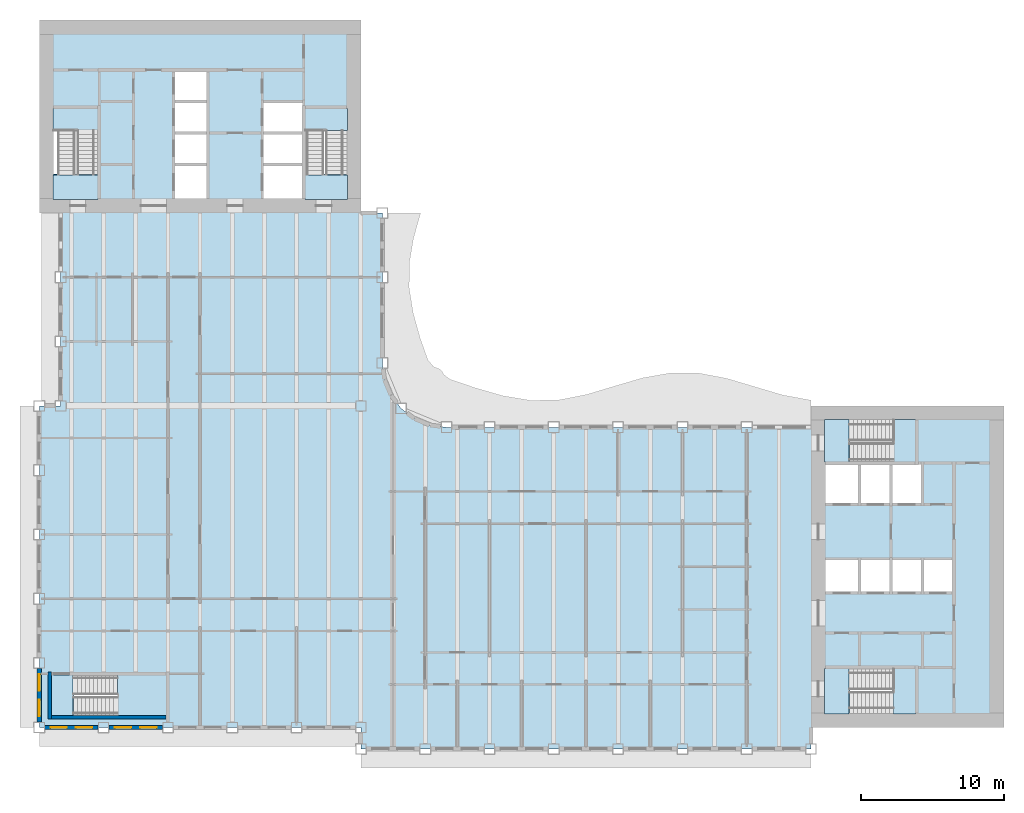
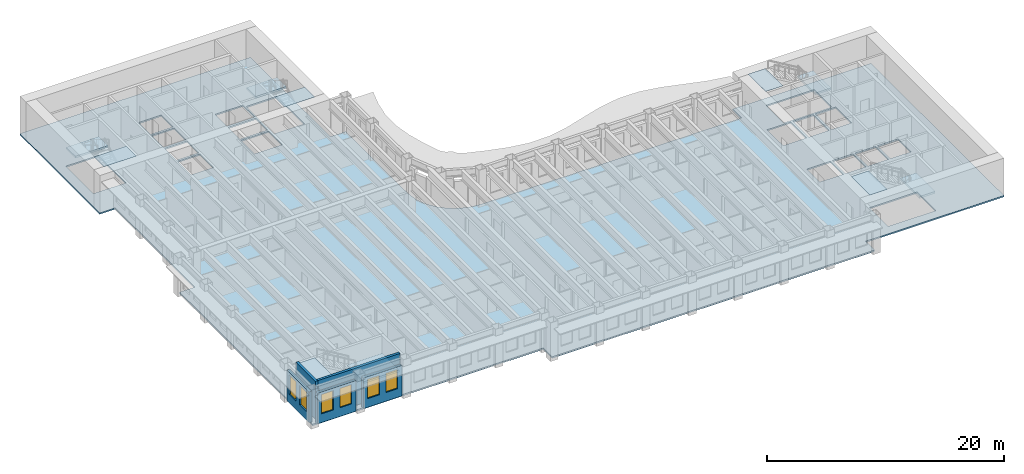
# One storey, part 2 of 17: 11 slabs, 6 windows, 5 walls, 6 openings, 5 elements without a shape of their own.
"""IFC4 building model written with IfcOpenShell, lengths in metres."""

import ifcopenshell
import ifcopenshell.guid

model = None  # the IFC model being written
_history = None  # IfcOwnerHistory: only IFC2X3 demands one
_inside = {}  # id of a spatial element -> (the spatial element, [elements in it])
_under = {}  # id of a project, library or spatial element -> (it, [spatial elements below it])
_declared = {}  # id of a project -> (the project, [libraries it declares])
_typed = {}  # id of a type object -> (the type object, [elements of that type])
_made_of = {}  # id of a material, layer set ... -> (it, [elements and type objects made of it])


def new_model(schema):
    """Start an empty IFC model of exactly this schema.

    Asked for "IFC4X3", IfcOpenShell would pick the latest addendum, in which some entities
    have other attributes; the version numbers below select the first issue.
    IFC2X3 requires an IfcOwnerHistory on every rooted entity: one is made here for all.
    """
    global model, _history
    if schema == "IFC4X3":
        model = ifcopenshell.file(schema_version=(4, 3, 0, 0))
    else:
        model = ifcopenshell.file(schema=schema)
    _inside.clear()
    _under.clear()
    _declared.clear()
    _typed.clear()
    _made_of.clear()
    _history = None
    if model.schema == "IFC2X3":
        org = make("IfcOrganization", Name="unknown")
        user = make(
            "IfcPersonAndOrganization",
            ThePerson=make("IfcPerson", FamilyName="unknown"),
            TheOrganization=org,
        )
        app = make(
            "IfcApplication",
            ApplicationDeveloper=org,
            Version="unknown",
            ApplicationFullName="unknown",
            ApplicationIdentifier="unknown",
        )
        _history = make(
            "IfcOwnerHistory",
            OwningUser=user,
            OwningApplication=app,
            ChangeAction="ADDED",
            CreationDate=0,
        )
    return model


def make(cls, **values):
    """One entity of the class cls with the attributes given. An attribute that is None is left unset."""
    return model.create_entity(
        cls, **{name: value for name, value in values.items() if value is not None}
    )


def rooted(cls, **values):
    """An entity with a GlobalId (a new one), such as an element, a storey or a relation."""
    return make(cls, GlobalId=ifcopenshell.guid.new(), OwnerHistory=_history, **values)


def si_unit(unit_type, name, prefix=None):
    """IfcSIUnit, for example si_unit("LENGTHUNIT", "METRE", prefix="MILLI")."""
    return make("IfcSIUnit", UnitType=unit_type, Prefix=prefix, Name=name)


def assignment(units):
    """IfcUnitAssignment: the units of a project."""
    return None if units is None else make("IfcUnitAssignment", Units=units)


def point(xyz):
    """IfcCartesianPoint."""
    return None if xyz is None else make("IfcCartesianPoint", Coordinates=xyz)


def direction(xyz):
    """IfcDirection."""
    return None if xyz is None else make("IfcDirection", DirectionRatios=xyz)


def frame(location, z_axis=None, x_axis=None):
    """IfcAxis2Placement3D, a coordinate frame: its origin and axes. An axis left out is left unset."""
    return make(
        "IfcAxis2Placement3D",
        Location=point(location),
        Axis=direction(z_axis),
        RefDirection=direction(x_axis),
    )


def frame_2d(location, x_axis=None):
    """IfcAxis2Placement2D, a coordinate frame in the plane: its origin and x axis."""
    return make(
        "IfcAxis2Placement2D", Location=point(location), RefDirection=direction(x_axis)
    )


def origin():
    """The frame at (0, 0, 0) with its axes left unset."""
    return frame((0.0, 0.0, 0.0))


def place(relative_to, where):
    """IfcLocalPlacement: puts the frame where relative to a parent placement (None: the world)."""
    return make(
        "IfcLocalPlacement", PlacementRelTo=relative_to, RelativePlacement=where
    )


def context(
    kind, dimensions, precision=None, world=None, true_north=None, identifier=None
):
    """IfcGeometricRepresentationContext, for example the 3D "Model" context."""
    return make(
        "IfcGeometricRepresentationContext",
        ContextIdentifier=identifier,
        ContextType=kind,
        CoordinateSpaceDimension=dimensions,
        Precision=precision,
        WorldCoordinateSystem=world,
        TrueNorth=true_north,
    )


def subcontext(parent, identifier, kind, view, scale=None):
    """IfcGeometricRepresentationSubContext, for example "Body" below "Model"."""
    return make(
        "IfcGeometricRepresentationSubContext",
        ContextIdentifier=identifier,
        ContextType=kind,
        ParentContext=parent,
        TargetScale=scale,
        TargetView=view,
    )


def project(units=None, contexts=None):
    """IfcProject with its units and contexts."""
    return rooted(
        "IfcProject",
        Name="project",
        RepresentationContexts=contexts,
        UnitsInContext=assignment(units),
    )


def spatial(cls, under=None, at=None, **own):
    """A site, building, storey or space (cls), placed at a placement, below another one or the project."""
    s = rooted(cls, ObjectPlacement=at, **own)
    if under is not None:
        _under.setdefault(under.id(), (under, []))[1].append(s)
    return s


def polyline(points):
    """IfcPolyline through the points."""
    return make("IfcPolyline", Points=[point(p) for p in points])


def profile(cls, at=None, kind="AREA", **sizes):
    """A parametric profile (cls). Its sizes go by their IFC names, for example OverallWidth=200.0."""
    return make(cls, ProfileType=kind, Position=at, **sizes)


def rectangle(**sizes):
    """IfcRectangleProfileDef."""
    return profile("IfcRectangleProfileDef", **sizes)


def outline(outer, holes=None, kind="AREA"):
    """IfcArbitraryClosedProfileDef: a profile drawn as a closed curve; with holes, ...WithVoids."""
    if holes is None:
        return make("IfcArbitraryClosedProfileDef", ProfileType=kind, OuterCurve=outer)
    return make(
        "IfcArbitraryProfileDefWithVoids",
        ProfileType=kind,
        OuterCurve=outer,
        InnerCurves=holes,
    )


def extrude(swept, where, along, depth):
    """IfcExtrudedAreaSolid: the profile swept, set in the frame where, extruded along a direction by depth."""
    return make(
        "IfcExtrudedAreaSolid",
        SweptArea=swept,
        Position=where,
        ExtrudedDirection=direction(along),
        Depth=depth,
    )


def shape(context_of_items, identifier, shape_type, items):
    """IfcShapeRepresentation: the items that make up one representation, for example the "Body"."""
    return make(
        "IfcShapeRepresentation",
        ContextOfItems=context_of_items,
        RepresentationIdentifier=identifier,
        RepresentationType=shape_type,
        Items=items,
    )


def material(Name=None, Category=None):
    """IfcMaterial."""
    return make("IfcMaterial", Name=Name, Category=Category)


def layer(
    of_material, thickness, ventilated=None, Name=None, Category=None, Priority=None
):
    """IfcMaterialLayer: one layer of a wall or slab, of a material (None: an air gap)."""
    return make(
        "IfcMaterialLayer",
        Material=of_material,
        LayerThickness=thickness,
        IsVentilated=ventilated,
        Name=Name,
        Category=Category,
        Priority=Priority,
    )


def layer_set(layers, Name=None):
    """IfcMaterialLayerSet."""
    return make("IfcMaterialLayerSet", MaterialLayers=layers, LayerSetName=Name)


def made_of(thing, what):
    """Note that an element or type object is made of a material, layer set ...; save() writes the relation."""
    if what is not None:
        _made_of.setdefault(what.id(), (what, []))[1].append(thing)
    return thing


def type_object(cls, material=None, **own):
    """A type object (cls), such as IfcWallType, which elements share."""
    return made_of(rooted(cls, **own), material)


def element(
    cls,
    number,
    at=None,
    inside=None,
    cuts=None,
    type_object=None,
    material=None,
    context=None,
    identifier="Body",
    shape_type=None,
    held_by="IfcProductDefinitionShape",
    body=None,
    shapes=None,
    **own,
):
    """One element of the class cls, such as IfcWall. Its Tag is "e" and its number.

    at: its placement. inside: the storey or other place that contains it. cuts: it is an
    opening in that element (IfcRelVoidsElement). A single representation is given by context,
    identifier, shape_type and body (its items); several are given by shapes. held_by: the class
    of the entity that holds the representations. save() writes the other relations.
    """
    e = rooted(cls, Tag="e%d" % number, ObjectPlacement=at, **own)
    if body is not None:
        shapes = [shape(context, identifier, shape_type, body)]
    if shapes is not None:
        e.Representation = make(held_by, Representations=shapes)
    if inside is not None:
        _inside.setdefault(inside.id(), (inside, []))[1].append(e)
    if cuts is not None:
        rooted(
            "IfcRelVoidsElement", RelatingBuildingElement=cuts, RelatedOpeningElement=e
        )
    if type_object is not None:
        _typed.setdefault(type_object.id(), (type_object, []))[1].append(e)
    return made_of(e, material)


def fill(opening, filler):
    """IfcRelFillsElement: the door or window that sits in an opening."""
    return rooted(
        "IfcRelFillsElement",
        RelatingOpeningElement=opening,
        RelatedBuildingElement=filler,
    )


def aggregate(whole, parts):
    """IfcRelAggregates: a whole, such as a stair, and the parts it consists of."""
    return rooted("IfcRelAggregates", RelatingObject=whole, RelatedObjects=parts)


def save(model, path):
    """Write the relations noted so far, then the file.

    IfcRelAggregates (storeys below a building ...), IfcRelContainedInSpatialStructure (elements
    in a storey), IfcRelDefinesByType, IfcRelAssociatesMaterial and IfcRelDeclares: one each for
    every whole, place, type object, material and project.
    """
    for whole, parts in _under.values():
        aggregate(whole, parts)
    for where, things in _inside.values():
        rooted(
            "IfcRelContainedInSpatialStructure",
            RelatedElements=things,
            RelatingStructure=where,
        )
    for kind, things in _typed.values():
        rooted("IfcRelDefinesByType", RelatedObjects=things, RelatingType=kind)
    for what, things in _made_of.values():
        rooted("IfcRelAssociatesMaterial", RelatedObjects=things, RelatingMaterial=what)
    for by, libraries in _declared.values():
        rooted("IfcRelDeclares", RelatingContext=by, RelatedDefinitions=libraries)
    model.write(path)


model = new_model("IFC4")

# Units and contexts
model_context = context("Model", 3, precision=1e-05, world=origin(), true_north=direction((0.0, 1.0)))
body_context = subcontext(model_context, "Body", "Model", "MODEL_VIEW")
ifc_project = project(units=[si_unit("LENGTHUNIT", "METRE"), si_unit("AREAUNIT", "SQUARE_METRE"), si_unit("VOLUMEUNIT", "CUBIC_METRE"), si_unit("PLANEANGLEUNIT", "RADIAN"), si_unit("MASSUNIT", "GRAM", prefix="KILO")], contexts=[model_context])

# Site, building, storey
site_placement = place(None, origin())
site = spatial("IfcSite", under=ifc_project, at=site_placement, CompositionType="ELEMENT")
building_placement = place(site_placement, origin())
building = spatial("IfcBuilding", under=site, at=building_placement, Name="Sennacour Bend Tower", CompositionType="ELEMENT")
storey_placement = place(building_placement, frame((0.0, 0.0, 215.0)))
storey = spatial("IfcBuildingStorey", under=building, at=storey_placement, Name="L49", CompositionType="ELEMENT", Elevation=215.0)

# Slabs
ifc_material_1 = material(Name="Concrete C30/37", Category="concrete")
ifc_layer_1 = layer(ifc_material_1, 0.14990234375, Name="Concrete C30/37", Category="concrete")
ifc_layer_set_1 = layer_set([ifc_layer_1], Name="Concrete C30/37")
slab_type_1 = type_object("IfcSlabType", Name="Floor slab 150", PredefinedType="FLOOR", material=ifc_layer_set_1)
slab_1_placement = place(storey_placement, frame((0.0, 0.0, -0.14990234375)))
element("IfcSlab", 1, at=slab_1_placement, inside=storey, type_object=slab_type_1, Name="Floor slab L49-01", PredefinedType="FLOOR", context=body_context, shape_type="SweptSolid", body=[
    extrude(outline(polyline([(22.5, 0.0), (0.0, 0.0), (0.0, 22.5), (1.5, 22.5), (1.5, 36.0), (0.0, 36.0), (0.0, 49.5), (22.5, 49.5), (22.5, 36.0), (24.0, 36.0), (24.0, 25.5), (24.1533203125, 24.335205078125), (24.602783203125, 23.25), (25.318115234375, 22.318115234375), (26.25, 21.602783203125), (27.335205078125, 21.1533203125), (28.5, 21.0), (54.0, 21.0), (54.0, 22.5), (67.5, 22.5), (67.5, 0.0), (54.0, 0.0), (54.0, -1.5), (22.5, -1.5), (22.5, 0.0)]), holes=[polyline([(8.800048828125, 0.949951171875), (8.800048828125, 3.5), (2.429931640625, 3.5), (2.429931640625, 0.949951171875), (8.800048828125, 0.949951171875)]), polyline([(11.699951171875, 37.0), (11.699951171875, 39.300048828125), (9.5, 39.300048828125), (9.5, 37.0), (11.699951171875, 37.0)]), polyline([(18.39990234375, 37.0), (18.39990234375, 39.300048828125), (15.699951171875, 39.300048828125), (15.699951171875, 37.0), (18.39990234375, 37.0)]), polyline([(11.699951171875, 39.5), (11.699951171875, 41.5), (9.5, 41.5), (9.5, 39.5), (11.699951171875, 39.5)]), polyline([(18.39990234375, 39.5), (18.39990234375, 41.5), (15.699951171875, 41.5), (15.699951171875, 39.5), (18.39990234375, 39.5)]), polyline([(4.125, 38.72998046875), (4.125, 43.39990234375), (0.949951171875, 43.39990234375), (0.949951171875, 38.72998046875), (4.125, 38.72998046875)]), polyline([(21.550048828125, 38.72998046875), (21.550048828125, 43.39990234375), (18.574951171875, 43.39990234375), (18.574951171875, 38.72998046875), (21.550048828125, 38.72998046875)]), polyline([(9.5, 41.699951171875), (11.699951171875, 41.699951171875), (11.699951171875, 43.699951171875), (9.5, 43.699951171875), (9.5, 41.699951171875)]), polyline([(15.699951171875, 41.699951171875), (18.39990234375, 41.699951171875), (18.39990234375, 43.699951171875), (15.699951171875, 43.699951171875), (15.699951171875, 41.699951171875)]), polyline([(11.699951171875, 43.89990234375), (11.699951171875, 45.89990234375), (9.5, 45.89990234375), (9.5, 43.89990234375), (11.699951171875, 43.89990234375)]), polyline([(61.39990234375, 0.949951171875), (61.39990234375, 4.125), (56.72998046875, 4.125), (56.72998046875, 0.949951171875), (61.39990234375, 0.949951171875)]), polyline([(57.300048828125, 9.5), (57.300048828125, 11.699951171875), (55.0, 11.699951171875), (55.0, 9.5), (57.300048828125, 9.5)]), polyline([(57.5, 9.5), (59.5, 9.5), (59.5, 11.699951171875), (57.5, 11.699951171875), (57.5, 9.5)]), polyline([(59.699951171875, 9.5), (61.699951171875, 9.5), (61.699951171875, 11.699951171875), (59.699951171875, 11.699951171875), (59.699951171875, 9.5)]), polyline([(63.89990234375, 9.5), (63.89990234375, 11.699951171875), (61.89990234375, 11.699951171875), (61.89990234375, 9.5), (63.89990234375, 9.5)]), polyline([(57.300048828125, 15.699951171875), (57.300048828125, 18.39990234375), (55.0, 18.39990234375), (55.0, 15.699951171875), (57.300048828125, 15.699951171875)]), polyline([(59.5, 15.699951171875), (59.5, 18.39990234375), (57.5, 18.39990234375), (57.5, 15.699951171875), (59.5, 15.699951171875)]), polyline([(59.699951171875, 15.699951171875), (61.699951171875, 15.699951171875), (61.699951171875, 18.39990234375), (59.699951171875, 18.39990234375), (59.699951171875, 15.699951171875)]), polyline([(56.72998046875, 18.574951171875), (61.39990234375, 18.574951171875), (61.39990234375, 21.550048828125), (56.72998046875, 21.550048828125), (56.72998046875, 18.574951171875)])]), origin(), (0.0, 0.0, 1.0), 0.14990234375),
])
ifc_material_2 = material(Name="Concrete C40/50", Category="concrete")
ifc_layer_2 = layer(ifc_material_2, 0.034912109375, Name="Concrete C40/50", Category="concrete")
ifc_layer_set_2 = layer_set([ifc_layer_2], Name="Concrete C40/50")
slab_type_2 = type_object("IfcSlabType", Name="Stair arrival nib 35", PredefinedType="FLOOR", material=ifc_layer_set_2)
slab_2_placement = place(storey_placement, frame((0.0, 0.0, 3.815185546875)))
element("IfcSlab", 2, at=slab_2_placement, inside=storey, type_object=slab_type_2, Name="L49 SA1 stair arrival nib", PredefinedType="FLOOR", context=body_context, shape_type="SweptSolid", body=[
    extrude(outline(polyline([(56.64208984375, 4.125), (54.949951171875, 4.125), (54.949951171875, 0.949951171875), (56.64208984375, 0.949951171875), (56.64208984375, 4.125)])), origin(), (0.0, 0.0, 1.0), 0.034912109375),
])
slab_3_placement = place(storey_placement, frame((0.0, 0.0, 3.815185546875)))
element("IfcSlab", 3, at=slab_3_placement, inside=storey, type_object=slab_type_2, Name="L49 SA2 stair arrival nib", PredefinedType="FLOOR", context=body_context, shape_type="SweptSolid", body=[
    extrude(outline(polyline([(56.64208984375, 21.550048828125), (54.949951171875, 21.550048828125), (54.949951171875, 18.574951171875), (56.64208984375, 18.574951171875), (56.64208984375, 21.550048828125)])), origin(), (0.0, 0.0, 1.0), 0.034912109375),
])
slab_4_placement = place(storey_placement, frame((0.0, 0.0, 3.815185546875)))
element("IfcSlab", 4, at=slab_4_placement, inside=storey, type_object=slab_type_2, Name="L49 SB1 stair arrival nib", PredefinedType="FLOOR", context=body_context, shape_type="SweptSolid", body=[
    extrude(outline(polyline([(0.949951171875, 38.64208984375), (0.949951171875, 36.949951171875), (4.125, 36.949951171875), (4.125, 38.64208984375), (0.949951171875, 38.64208984375)])), origin(), (0.0, 0.0, 1.0), 0.034912109375),
])
slab_5_placement = place(storey_placement, frame((0.0, 0.0, 3.815185546875)))
element("IfcSlab", 5, at=slab_5_placement, inside=storey, type_object=slab_type_2, Name="L49 SB2 stair arrival nib", PredefinedType="FLOOR", context=body_context, shape_type="SweptSolid", body=[
    extrude(outline(polyline([(18.574951171875, 38.64208984375), (18.574951171875, 36.949951171875), (21.550048828125, 36.949951171875), (21.550048828125, 38.64208984375), (18.574951171875, 38.64208984375)])), origin(), (0.0, 0.0, 1.0), 0.034912109375),
])
slab_6_placement = place(storey_placement, frame((0.0, 0.0, 3.815185546875)))
element("IfcSlab", 6, at=slab_6_placement, inside=storey, type_object=slab_type_2, Name="L49 SK1 stair arrival nib", PredefinedType="FLOOR", context=body_context, shape_type="SweptSolid", body=[
    extrude(outline(polyline([(2.342041015625, 3.675048828125), (0.800048828125, 3.675048828125), (0.800048828125, 0.800048828125), (2.342041015625, 0.800048828125), (2.342041015625, 3.675048828125)])), origin(), (0.0, 0.0, 1.0), 0.034912109375),
])

# Stair, slab
stair_type = type_object("IfcStairType", Name="ST-DOGLEG", PredefinedType="HALF_TURN_STAIR", material=ifc_material_2)
stair_1_placement = place(storey_placement, origin())
stair_1 = element("IfcStair", 7, at=stair_1_placement, inside=storey, type_object=stair_type, Name="L49 Exit stair A1", PredefinedType="HALF_TURN_STAIR")
ifc_layer_3 = layer(ifc_material_2, 0.199951171875, Name="Concrete C40/50", Category="concrete")
ifc_layer_set_3 = layer_set([ifc_layer_3], Name="Concrete C40/50")
slab_type_3 = type_object("IfcSlabType", Name="Stair landing 200", PredefinedType="LANDING", material=ifc_layer_set_3)
slab_7_placement = place(storey_placement, frame((0.0, 0.0, 1.800048828125)))
slab_7 = element("IfcSlab", 8, at=slab_7_placement, type_object=slab_type_3, Name="SA1 landing 1", PredefinedType="LANDING", context=body_context, shape_type="SweptSolid", body=[
    extrude(outline(polyline([(59.780029296875, 0.949951171875), (61.324951171875, 0.949951171875), (61.324951171875, 4.125), (59.780029296875, 4.125), (59.780029296875, 0.949951171875)])), origin(), (0.0, 0.0, 1.0), 0.199951171875),
])
aggregate(stair_1, [slab_7])

stair_2_placement = place(storey_placement, origin())
stair_2 = element("IfcStair", 9, at=stair_2_placement, inside=storey, type_object=stair_type, Name="L49 Exit stair A2", PredefinedType="HALF_TURN_STAIR")
slab_8_placement = place(storey_placement, frame((0.0, 0.0, 1.800048828125)))
slab_8 = element("IfcSlab", 10, at=slab_8_placement, type_object=slab_type_3, Name="SA2 landing 1", PredefinedType="LANDING", context=body_context, shape_type="SweptSolid", body=[
    extrude(outline(polyline([(59.780029296875, 18.574951171875), (61.324951171875, 18.574951171875), (61.324951171875, 21.550048828125), (59.780029296875, 21.550048828125), (59.780029296875, 18.574951171875)])), origin(), (0.0, 0.0, 1.0), 0.199951171875),
])
aggregate(stair_2, [slab_8])

stair_3_placement = place(storey_placement, origin())
stair_3 = element("IfcStair", 11, at=stair_3_placement, inside=storey, type_object=stair_type, Name="L49 Exit stair B1", PredefinedType="HALF_TURN_STAIR")
slab_9_placement = place(storey_placement, frame((0.0, 0.0, 1.800048828125)))
slab_9 = element("IfcSlab", 12, at=slab_9_placement, type_object=slab_type_3, Name="SB1 landing 1", PredefinedType="LANDING", context=body_context, shape_type="SweptSolid", body=[
    extrude(outline(polyline([(0.949951171875, 41.780029296875), (4.125, 41.780029296875), (4.125, 43.324951171875), (0.949951171875, 43.324951171875), (0.949951171875, 41.780029296875)])), origin(), (0.0, 0.0, 1.0), 0.199951171875),
])
aggregate(stair_3, [slab_9])

stair_4_placement = place(storey_placement, origin())
stair_4 = element("IfcStair", 13, at=stair_4_placement, inside=storey, type_object=stair_type, Name="L49 Exit stair B2", PredefinedType="HALF_TURN_STAIR")
slab_10_placement = place(storey_placement, frame((0.0, 0.0, 1.800048828125)))
slab_10 = element("IfcSlab", 14, at=slab_10_placement, type_object=slab_type_3, Name="SB2 landing 1", PredefinedType="LANDING", context=body_context, shape_type="SweptSolid", body=[
    extrude(outline(polyline([(18.574951171875, 41.780029296875), (21.550048828125, 41.780029296875), (21.550048828125, 43.324951171875), (18.574951171875, 43.324951171875), (18.574951171875, 41.780029296875)])), origin(), (0.0, 0.0, 1.0), 0.199951171875),
])
aggregate(stair_4, [slab_10])

stair_5_placement = place(storey_placement, origin())
stair_5 = element("IfcStair", 15, at=stair_5_placement, inside=storey, type_object=stair_type, Name="L49 Exit stair K1", PredefinedType="HALF_TURN_STAIR")
slab_11_placement = place(storey_placement, frame((0.0, 0.0, 1.800048828125)))
slab_11 = element("IfcSlab", 16, at=slab_11_placement, type_object=slab_type_3, Name="SK1 landing 1", PredefinedType="LANDING", context=body_context, shape_type="SweptSolid", body=[
    extrude(outline(polyline([(5.47998046875, 0.800048828125), (8.925048828125, 0.800048828125), (8.925048828125, 3.675048828125), (5.47998046875, 3.675048828125), (5.47998046875, 0.800048828125)])), origin(), (0.0, 0.0, 1.0), 0.199951171875),
])
aggregate(stair_5, [slab_11])

# Wall, openings, windows
ifc_material_3 = material(Name="Warm limestone cladding", Category="masonry")
ifc_layer_4 = layer(ifc_material_3, 0.050048828125, Name="Warm limestone cladding", Category="masonry")
ifc_material_4 = material(Name="Precast concrete C40/50", Category="concrete")
ifc_layer_5 = layer(ifc_material_4, 0.25, Name="Precast concrete C40/50", Category="concrete")
ifc_layer_set_4 = layer_set([ifc_layer_4, ifc_layer_5], Name="Precast concrete C40/50 with limestone cladding")
wall_type_1 = type_object("IfcWallType", Name="STONE-CLAD PRECAST SPANDREL 300", PredefinedType="STANDARD", material=ifc_layer_set_4)
wall_1_placement = place(storey_placement, frame((0.0, 4.125, 0.0), z_axis=(0.0, 0.0, 1.0), x_axis=(0.0, -1.0, 0.0)))
wall_1 = element("IfcWall", 17, at=wall_1_placement, inside=storey, type_object=wall_type_1, Name="Stone spandrel and pier wall L49 21.04", PredefinedType="STANDARD", context=body_context, shape_type="SweptSolid", body=[
    extrude(rectangle(XDim=3.75, YDim=0.300048828125, at=frame_2d((1.875, 0.0))), origin(), (0.0, 0.0, 1.0), 3.156982421875),
])
opening_1_placement = place(wall_1_placement, frame((0.41259765625, 0.0, 0.89990234375)))
opening_1 = element("IfcOpeningElement", 18, at=opening_1_placement, cuts=wall_1, Name="Opening W24", PredefinedType="OPENING", context=body_context, shape_type="SweptSolid", body=[
    extrude(rectangle(XDim=1.14990234375, YDim=2.0, at=frame_2d((0.574951171875, 1.0))), frame((0.0, 0.16015625, 0.0), z_axis=(0.0, -1.0, 0.0), x_axis=(1.0, 0.0, 0.0)), (0.0, 0.0, 1.0), 0.320068359375),
])
opening_2_placement = place(wall_1_placement, frame((2.1875, 0.0, 0.89990234375)))
opening_2 = element("IfcOpeningElement", 19, at=opening_2_placement, cuts=wall_1, Name="Opening W24", PredefinedType="OPENING", context=body_context, shape_type="SweptSolid", body=[
    extrude(rectangle(XDim=1.14990234375, YDim=2.0, at=frame_2d((0.574951171875, 1.0))), frame((0.0, 0.16015625, 0.0), z_axis=(0.0, -1.0, 0.0), x_axis=(1.0, 0.0, 0.0)), (0.0, 0.0, 1.0), 0.320068359375),
])
ifc_material_5 = material(Name="Clear low-emissivity glass", Category="glass")
window_type = type_object("IfcWindowType", Name="WIN-RIBBON-1150x2000", PartitioningType="SINGLE_PANEL", PredefinedType="WINDOW", material=ifc_material_5)
window_1_placement = place(opening_1_placement, origin())
window_1 = element("IfcWindow", 20, at=window_1_placement, inside=storey, type_object=window_type, Name="Ribbon window L49 21.04.0", OverallHeight=2.0, OverallWidth=1.14990234375, PartitioningType="SINGLE_PANEL", PredefinedType="WINDOW", context=body_context, shape_type="SweptSolid", body=[
    extrude(rectangle(XDim=1.14990234375, YDim=2.0, at=frame_2d((0.574951171875, 1.0))), frame((0.0, 0.030029296875, 0.0), z_axis=(0.0, -1.0, 0.0), x_axis=(1.0, 0.0, 0.0)), (0.0, 0.0, 1.0), 0.06005859375),
])
fill(opening_1, window_1)
window_2_placement = place(opening_2_placement, origin())
window_2 = element("IfcWindow", 21, at=window_2_placement, inside=storey, type_object=window_type, Name="Ribbon window L49 21.04.1", OverallHeight=2.0, OverallWidth=1.14990234375, PartitioningType="SINGLE_PANEL", PredefinedType="WINDOW", context=body_context, shape_type="SweptSolid", body=[
    extrude(rectangle(XDim=1.14990234375, YDim=2.0, at=frame_2d((0.574951171875, 1.0))), frame((0.0, 0.030029296875, 0.0), z_axis=(0.0, -1.0, 0.0), x_axis=(1.0, 0.0, 0.0)), (0.0, 0.0, 1.0), 0.06005859375),
])
fill(opening_2, window_2)

wall_2_placement = place(storey_placement, frame((0.375, 0.0, 0.0), z_axis=(0.0, 0.0, 1.0), x_axis=(1.0, 0.0, 0.0)))
wall_2 = element("IfcWall", 22, at=wall_2_placement, inside=storey, type_object=wall_type_1, Name="Stone spandrel and pier wall L49 22.00", PredefinedType="STANDARD", context=body_context, shape_type="SweptSolid", body=[
    extrude(rectangle(XDim=3.75, YDim=0.300048828125, at=frame_2d((1.875, 0.0))), origin(), (0.0, 0.0, 1.0), 3.156982421875),
])
opening_3_placement = place(wall_2_placement, frame((0.41259765625, 0.0, 0.89990234375)))
opening_3 = element("IfcOpeningElement", 23, at=opening_3_placement, cuts=wall_2, Name="Opening W24", PredefinedType="OPENING", context=body_context, shape_type="SweptSolid", body=[
    extrude(rectangle(XDim=1.14990234375, YDim=2.0, at=frame_2d((0.574951171875, 1.0))), frame((0.0, 0.16015625, 0.0), z_axis=(0.0, -1.0, 0.0), x_axis=(1.0, 0.0, 0.0)), (0.0, 0.0, 1.0), 0.320068359375),
])
opening_4_placement = place(wall_2_placement, frame((2.1875, 0.0, 0.89990234375)))
opening_4 = element("IfcOpeningElement", 24, at=opening_4_placement, cuts=wall_2, Name="Opening W24", PredefinedType="OPENING", context=body_context, shape_type="SweptSolid", body=[
    extrude(rectangle(XDim=1.14990234375, YDim=2.0, at=frame_2d((0.574951171875, 1.0))), frame((0.0, 0.16015625, 0.0), z_axis=(0.0, -1.0, 0.0), x_axis=(1.0, 0.0, 0.0)), (0.0, 0.0, 1.0), 0.320068359375),
])
window_3_placement = place(opening_3_placement, origin())
window_3 = element("IfcWindow", 25, at=window_3_placement, inside=storey, type_object=window_type, Name="Ribbon window L49 22.00.0", OverallHeight=2.0, OverallWidth=1.14990234375, PartitioningType="SINGLE_PANEL", PredefinedType="WINDOW", context=body_context, shape_type="SweptSolid", body=[
    extrude(rectangle(XDim=1.14990234375, YDim=2.0, at=frame_2d((0.574951171875, 1.0))), frame((0.0, 0.030029296875, 0.0), z_axis=(0.0, -1.0, 0.0), x_axis=(1.0, 0.0, 0.0)), (0.0, 0.0, 1.0), 0.06005859375),
])
fill(opening_3, window_3)
window_4_placement = place(opening_4_placement, origin())
window_4 = element("IfcWindow", 26, at=window_4_placement, inside=storey, type_object=window_type, Name="Ribbon window L49 22.00.1", OverallHeight=2.0, OverallWidth=1.14990234375, PartitioningType="SINGLE_PANEL", PredefinedType="WINDOW", context=body_context, shape_type="SweptSolid", body=[
    extrude(rectangle(XDim=1.14990234375, YDim=2.0, at=frame_2d((0.574951171875, 1.0))), frame((0.0, 0.030029296875, 0.0), z_axis=(0.0, -1.0, 0.0), x_axis=(1.0, 0.0, 0.0)), (0.0, 0.0, 1.0), 0.06005859375),
])
fill(opening_4, window_4)

wall_3_placement = place(storey_placement, frame((4.875, 0.0, 0.0), z_axis=(0.0, 0.0, 1.0), x_axis=(1.0, 0.0, 0.0)))
wall_3 = element("IfcWall", 27, at=wall_3_placement, inside=storey, type_object=wall_type_1, Name="Stone spandrel and pier wall L49 22.01", PredefinedType="STANDARD", context=body_context, shape_type="SweptSolid", body=[
    extrude(rectangle(XDim=3.75, YDim=0.300048828125, at=frame_2d((1.875, 0.0))), origin(), (0.0, 0.0, 1.0), 3.156982421875),
])
opening_5_placement = place(wall_3_placement, frame((0.41259765625, 0.0, 0.89990234375)))
opening_5 = element("IfcOpeningElement", 28, at=opening_5_placement, cuts=wall_3, Name="Opening W24", PredefinedType="OPENING", context=body_context, shape_type="SweptSolid", body=[
    extrude(rectangle(XDim=1.14990234375, YDim=2.0, at=frame_2d((0.574951171875, 1.0))), frame((0.0, 0.16015625, 0.0), z_axis=(0.0, -1.0, 0.0), x_axis=(1.0, 0.0, 0.0)), (0.0, 0.0, 1.0), 0.320068359375),
])
opening_6_placement = place(wall_3_placement, frame((2.1875, 0.0, 0.89990234375)))
opening_6 = element("IfcOpeningElement", 29, at=opening_6_placement, cuts=wall_3, Name="Opening W24", PredefinedType="OPENING", context=body_context, shape_type="SweptSolid", body=[
    extrude(rectangle(XDim=1.14990234375, YDim=2.0, at=frame_2d((0.574951171875, 1.0))), frame((0.0, 0.16015625, 0.0), z_axis=(0.0, -1.0, 0.0), x_axis=(1.0, 0.0, 0.0)), (0.0, 0.0, 1.0), 0.320068359375),
])
window_5_placement = place(opening_5_placement, origin())
window_5 = element("IfcWindow", 30, at=window_5_placement, inside=storey, type_object=window_type, Name="Ribbon window L49 22.01.0", OverallHeight=2.0, OverallWidth=1.14990234375, PartitioningType="SINGLE_PANEL", PredefinedType="WINDOW", context=body_context, shape_type="SweptSolid", body=[
    extrude(rectangle(XDim=1.14990234375, YDim=2.0, at=frame_2d((0.574951171875, 1.0))), frame((0.0, 0.030029296875, 0.0), z_axis=(0.0, -1.0, 0.0), x_axis=(1.0, 0.0, 0.0)), (0.0, 0.0, 1.0), 0.06005859375),
])
fill(opening_5, window_5)
window_6_placement = place(opening_6_placement, origin())
window_6 = element("IfcWindow", 31, at=window_6_placement, inside=storey, type_object=window_type, Name="Ribbon window L49 22.01.1", OverallHeight=2.0, OverallWidth=1.14990234375, PartitioningType="SINGLE_PANEL", PredefinedType="WINDOW", context=body_context, shape_type="SweptSolid", body=[
    extrude(rectangle(XDim=1.14990234375, YDim=2.0, at=frame_2d((0.574951171875, 1.0))), frame((0.0, 0.030029296875, 0.0), z_axis=(0.0, -1.0, 0.0), x_axis=(1.0, 0.0, 0.0)), (0.0, 0.0, 1.0), 0.06005859375),
])
fill(opening_6, window_6)

# Walls
ifc_material_6 = material(Name="Concrete C60/75", Category="concrete")
ifc_layer_6 = layer(ifc_material_6, 0.25, Name="Concrete C60/75", Category="concrete")
ifc_layer_set_5 = layer_set([ifc_layer_6], Name="Concrete C60/75")
wall_type_2 = type_object("IfcWallType", Name="Stair wall 250", PredefinedType="SHEAR", material=ifc_layer_set_5)
wall_4_placement = place(storey_placement, frame((0.72509765625, 0.60009765625, 0.0), z_axis=(0.0, 0.0, 1.0), x_axis=(0.0, 1.0, 0.0)))
element("IfcWall", 32, at=wall_4_placement, inside=storey, type_object=wall_type_2, Name="P-L49-W002", PredefinedType="SHEAR", context=body_context, shape_type="SweptSolid", body=[
    extrude(rectangle(XDim=3.27490234375, YDim=0.25, at=frame_2d((1.637451171875, 0.0))), origin(), (0.0, 0.0, 1.0), 3.85009765625),
])
wall_5_placement = place(storey_placement, frame((0.85009765625, 0.72509765625, 0.0), z_axis=(0.0, 0.0, 1.0), x_axis=(1.0, 0.0, 0.0)))
element("IfcWall", 33, at=wall_5_placement, inside=storey, type_object=wall_type_2, Name="P-L49-W049", PredefinedType="SHEAR", context=body_context, shape_type="SweptSolid", body=[
    extrude(rectangle(XDim=8.02490234375, YDim=0.25, at=frame_2d((4.012451171875, 0.0))), origin(), (0.0, 0.0, 1.0), 3.85009765625),
])

save(model, "model.ifc")
